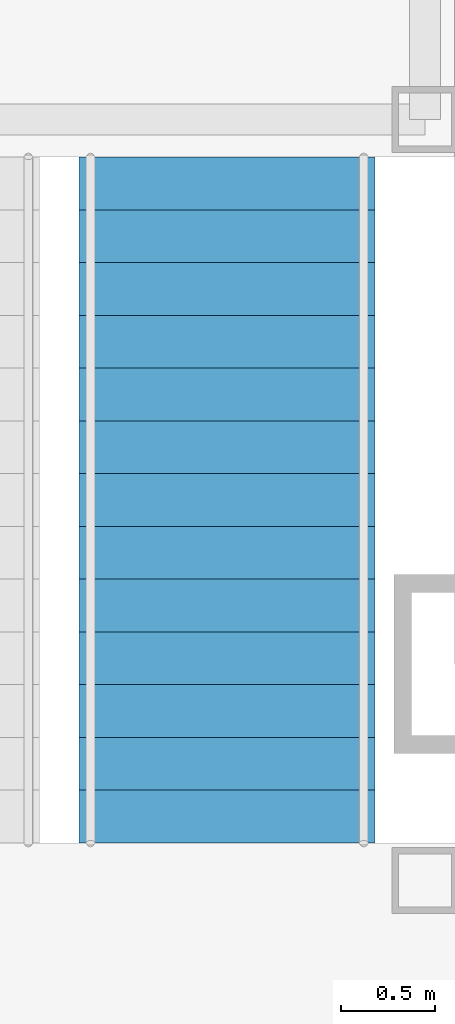
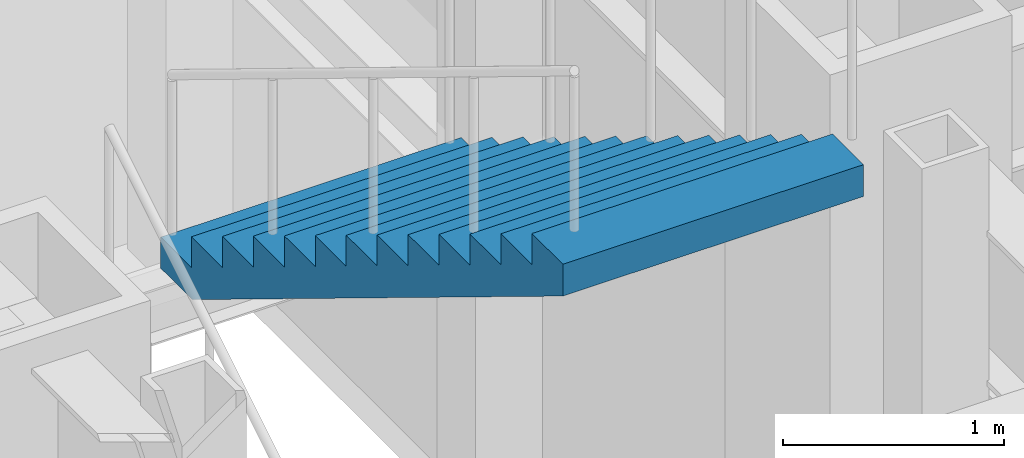
# One storey, part 17 of 24: 1 stair flight, 1 element without a shape of its own.
"""IFC4 building model written with IfcOpenShell, lengths in metres."""

from ifc_helpers import new_model, si_unit, direction, frame, origin, place, context, subcontext, project, spatial, faceted_brep, material, type_object, element, aggregate, save


model = new_model("IFC4")

# Units and contexts
model_context = context("Model", 3, precision=1e-05, world=origin(), true_north=direction((0.0, 1.0)))
body_context = subcontext(model_context, "Body", "Model", "MODEL_VIEW")
ifc_project = project(units=[si_unit("LENGTHUNIT", "METRE"), si_unit("AREAUNIT", "SQUARE_METRE"), si_unit("VOLUMEUNIT", "CUBIC_METRE"), si_unit("PLANEANGLEUNIT", "RADIAN"), si_unit("MASSUNIT", "GRAM", prefix="KILO")], contexts=[model_context])

# Site, building, storey
site_placement = place(None, origin())
site = spatial("IfcSite", under=ifc_project, at=site_placement, CompositionType="ELEMENT")
building_placement = place(site_placement, origin())
building = spatial("IfcBuilding", under=site, at=building_placement, Name="Chuquiago Exchange Tower", CompositionType="ELEMENT")
storey_placement = place(building_placement, frame((0.0, 0.0, 19.5)))
storey = spatial("IfcBuildingStorey", under=building, at=storey_placement, Name="L03", CompositionType="ELEMENT", Elevation=19.5)

# Stair, stair flight
ifc_material_1 = material(Name="Concrete C30/37, precast", Category="concrete")
stair_type = type_object("IfcStairType", Name="ST2 half-turn stair 4800", PredefinedType="HALF_TURN_STAIR", material=ifc_material_1)
stair_placement = place(storey_placement, origin())
stair = element("IfcStair", 1, at=stair_placement, inside=storey, type_object=stair_type, Name="Stair ST2 L03", PredefinedType="HALF_TURN_STAIR")
ifc_material_2 = material(Name="Concrete C30/37, precast", Category="concrete")
stair_flight_type = type_object("IfcStairFlightType", Name="ST-F flight 1570 for 4800 storey", PredefinedType="STRAIGHT", material=ifc_material_2)
stair_flight_placement = place(storey_placement, frame((31.639892578125, 26.68994140625, 2.39990234375), z_axis=(0.0, 0.0, 1.0), x_axis=(0.0, -1.0, 0.0)))
stair_flight = element("IfcStairFlight", 2, at=stair_flight_placement, type_object=stair_flight_type, Name="ST2 flight 2", NumberOfRisers=14, NumberOfTreads=13, PredefinedType="STRAIGHT", RiserHeight=0.171428571, TreadLength=0.28, context=body_context, shape_type="Brep", body=[
    faceted_brep([(0.0, 0.78515625, 0.0), (0.0, 0.78515625, 0.17138671875), (0.280029296875, 0.78515625, 0.17138671875), (0.280029296875, 0.78515625, 0.3427734375), (0.56005859375, 0.78515625, 0.3427734375), (0.56005859375, 0.78515625, 0.514404296875), (0.840087890625, 0.78515625, 0.514404296875), (0.840087890625, 0.78515625, 0.685791015625), (1.1201171875, 0.78515625, 0.685791015625), (1.1201171875, 0.78515625, 0.857177734375), (1.39990234375, 0.78515625, 0.857177734375), (1.39990234375, 0.78515625, 1.028564453125), (1.679931640625, 0.78515625, 1.028564453125), (1.679931640625, 0.78515625, 1.199951171875), (1.9599609375, 0.78515625, 1.199951171875), (1.9599609375, 0.78515625, 1.371337890625), (2.239990234375, 0.78515625, 1.371337890625), (2.239990234375, 0.78515625, 1.54296875), (2.52001953125, 0.78515625, 1.54296875), (2.52001953125, 0.78515625, 1.71435546875), (2.800048828125, 0.78515625, 1.71435546875), (2.800048828125, 0.78515625, 1.8857421875), (3.080078125, 0.78515625, 1.8857421875), (3.080078125, 0.78515625, 2.05712890625), (3.360107421875, 0.78515625, 2.05712890625), (3.360107421875, 0.78515625, 2.228515625), (3.639892578125, 0.78515625, 2.228515625), (3.639892578125, 0.78515625, 2.052734375), (0.287109375, 0.78515625, 0.0), (0.287109375, -0.78515625, 0.0), (3.639892578125, -0.78515625, 2.052734375), (3.639892578125, -0.78515625, 2.228515625), (3.360107421875, -0.78515625, 2.228515625), (3.360107421875, -0.78515625, 2.05712890625), (3.080078125, -0.78515625, 2.05712890625), (3.080078125, -0.78515625, 1.8857421875), (2.800048828125, -0.78515625, 1.8857421875), (2.800048828125, -0.78515625, 1.71435546875), (2.52001953125, -0.78515625, 1.71435546875), (2.52001953125, -0.78515625, 1.54296875), (2.239990234375, -0.78515625, 1.54296875), (2.239990234375, -0.78515625, 1.371337890625), (1.9599609375, -0.78515625, 1.371337890625), (1.9599609375, -0.78515625, 1.199951171875), (1.679931640625, -0.78515625, 1.199951171875), (1.679931640625, -0.78515625, 1.028564453125), (1.39990234375, -0.78515625, 1.028564453125), (1.39990234375, -0.78515625, 0.857177734375), (1.1201171875, -0.78515625, 0.857177734375), (1.1201171875, -0.78515625, 0.685791015625), (0.840087890625, -0.78515625, 0.685791015625), (0.840087890625, -0.78515625, 0.514404296875), (0.56005859375, -0.78515625, 0.514404296875), (0.56005859375, -0.78515625, 0.3427734375), (0.280029296875, -0.78515625, 0.3427734375), (0.280029296875, -0.78515625, 0.17138671875), (0.0, -0.78515625, 0.17138671875), (0.0, -0.78515625, 0.0), (0.0, 0.392578125, 0.0), (0.0, 0.392578125, 0.17138671875), (0.0, 0.0, 0.0), (0.0, 0.0, 0.17138671875), (0.0, -0.392578125, 0.0), (0.0, -0.392578125, 0.17138671875), (0.280029296875, 0.392578125, 0.17138671875), (0.280029296875, 0.0, 0.17138671875), (0.280029296875, -0.392578125, 0.17138671875), (0.280029296875, 0.392578125, 0.3427734375), (0.280029296875, 0.0, 0.3427734375), (0.280029296875, -0.392578125, 0.3427734375), (0.56005859375, 0.392578125, 0.3427734375), (0.56005859375, 0.0, 0.3427734375), (0.56005859375, -0.392578125, 0.3427734375), (0.56005859375, 0.392578125, 0.514404296875), (0.56005859375, 0.0, 0.514404296875), (0.56005859375, -0.392578125, 0.514404296875), (0.840087890625, 0.392578125, 0.514404296875), (0.840087890625, 0.0, 0.514404296875), (0.840087890625, -0.392578125, 0.514404296875), (0.840087890625, 0.392578125, 0.685791015625), (0.840087890625, 0.0, 0.685791015625), (0.840087890625, -0.392578125, 0.685791015625), (1.1201171875, 0.392578125, 0.685791015625), (1.1201171875, 0.0, 0.685791015625), (1.1201171875, -0.392578125, 0.685791015625), (1.1201171875, 0.392578125, 0.857177734375), (1.1201171875, 0.0, 0.857177734375), (1.1201171875, -0.392578125, 0.857177734375), (1.39990234375, 0.392578125, 0.857177734375), (1.39990234375, 0.0, 0.857177734375), (1.39990234375, -0.392578125, 0.857177734375), (1.39990234375, 0.392578125, 1.028564453125), (1.39990234375, 0.0, 1.028564453125), (1.39990234375, -0.392578125, 1.028564453125), (1.679931640625, 0.392578125, 1.028564453125), (1.679931640625, 0.0, 1.028564453125), (1.679931640625, -0.392578125, 1.028564453125), (1.679931640625, 0.392578125, 1.199951171875), (1.679931640625, 0.0, 1.199951171875), (1.679931640625, -0.392578125, 1.199951171875), (1.9599609375, 0.392578125, 1.199951171875), (1.9599609375, 0.0, 1.199951171875), (1.9599609375, -0.392578125, 1.199951171875), (1.9599609375, 0.392578125, 1.371337890625), (1.9599609375, 0.0, 1.371337890625), (1.9599609375, -0.392578125, 1.371337890625), (2.239990234375, 0.392578125, 1.371337890625), (2.239990234375, 0.0, 1.371337890625), (2.239990234375, -0.392578125, 1.371337890625), (2.239990234375, 0.392578125, 1.54296875), (2.239990234375, 0.0, 1.54296875), (2.239990234375, -0.392578125, 1.54296875), (2.52001953125, 0.392578125, 1.54296875), (2.52001953125, 0.0, 1.54296875), (2.52001953125, -0.392578125, 1.54296875), (2.52001953125, 0.392578125, 1.71435546875), (2.52001953125, 0.0, 1.71435546875), (2.52001953125, -0.392578125, 1.71435546875), (2.800048828125, 0.392578125, 1.71435546875), (2.800048828125, 0.0, 1.71435546875), (2.800048828125, -0.392578125, 1.71435546875), (2.800048828125, 0.392578125, 1.8857421875), (2.800048828125, 0.0, 1.8857421875), (2.800048828125, -0.392578125, 1.8857421875), (3.080078125, 0.392578125, 1.8857421875), (3.080078125, 0.0, 1.8857421875), (3.080078125, -0.392578125, 1.8857421875), (3.080078125, 0.392578125, 2.05712890625), (3.080078125, 0.0, 2.05712890625), (3.080078125, -0.392578125, 2.05712890625), (3.360107421875, 0.392578125, 2.05712890625), (3.360107421875, 0.0, 2.05712890625), (3.360107421875, -0.392578125, 2.05712890625), (3.360107421875, 0.392578125, 2.228515625), (3.360107421875, 0.0, 2.228515625), (3.360107421875, -0.392578125, 2.228515625), (3.639892578125, 0.392578125, 2.228515625), (3.639892578125, 0.0, 2.228515625), (3.639892578125, -0.392578125, 2.228515625), (3.639892578125, 0.392578125, 2.052734375), (3.639892578125, 0.0, 2.052734375), (3.639892578125, -0.392578125, 2.052734375), (0.287109375, 0.392578125, 0.0), (0.287109375, 0.0, 0.0), (0.287109375, -0.392578125, 0.0)], [[[0, 1, 2, 3, 4, 5, 6, 7, 8, 9, 10, 11, 12, 13, 14, 15, 16, 17, 18, 19, 20, 21, 22, 23, 24, 25, 26, 27, 28]], [[29, 30, 31, 32, 33, 34, 35, 36, 37, 38, 39, 40, 41, 42, 43, 44, 45, 46, 47, 48, 49, 50, 51, 52, 53, 54, 55, 56, 57]], [[1, 0, 58, 59]], [[59, 58, 60, 61]], [[61, 60, 62, 63]], [[63, 62, 57, 56]], [[2, 1, 59, 64]], [[64, 59, 61, 65]], [[65, 61, 63, 66]], [[66, 63, 56, 55]], [[3, 2, 64, 67]], [[67, 64, 65, 68]], [[68, 65, 66, 69]], [[69, 66, 55, 54]], [[4, 3, 67, 70]], [[70, 67, 68, 71]], [[71, 68, 69, 72]], [[72, 69, 54, 53]], [[5, 4, 70, 73]], [[73, 70, 71, 74]], [[74, 71, 72, 75]], [[75, 72, 53, 52]], [[6, 5, 73, 76]], [[76, 73, 74, 77]], [[77, 74, 75, 78]], [[78, 75, 52, 51]], [[7, 6, 76, 79]], [[79, 76, 77, 80]], [[80, 77, 78, 81]], [[81, 78, 51, 50]], [[8, 7, 79, 82]], [[82, 79, 80, 83]], [[83, 80, 81, 84]], [[84, 81, 50, 49]], [[9, 8, 82, 85]], [[85, 82, 83, 86]], [[86, 83, 84, 87]], [[87, 84, 49, 48]], [[10, 9, 85, 88]], [[88, 85, 86, 89]], [[89, 86, 87, 90]], [[90, 87, 48, 47]], [[11, 10, 88, 91]], [[91, 88, 89, 92]], [[92, 89, 90, 93]], [[93, 90, 47, 46]], [[12, 11, 91, 94]], [[94, 91, 92, 95]], [[95, 92, 93, 96]], [[96, 93, 46, 45]], [[13, 12, 94, 97]], [[97, 94, 95, 98]], [[98, 95, 96, 99]], [[99, 96, 45, 44]], [[14, 13, 97, 100]], [[100, 97, 98, 101]], [[101, 98, 99, 102]], [[102, 99, 44, 43]], [[15, 14, 100, 103]], [[103, 100, 101, 104]], [[104, 101, 102, 105]], [[105, 102, 43, 42]], [[16, 15, 103, 106]], [[106, 103, 104, 107]], [[107, 104, 105, 108]], [[108, 105, 42, 41]], [[17, 16, 106, 109]], [[109, 106, 107, 110]], [[110, 107, 108, 111]], [[111, 108, 41, 40]], [[18, 17, 109, 112]], [[112, 109, 110, 113]], [[113, 110, 111, 114]], [[114, 111, 40, 39]], [[19, 18, 112, 115]], [[115, 112, 113, 116]], [[116, 113, 114, 117]], [[117, 114, 39, 38]], [[20, 19, 115, 118]], [[118, 115, 116, 119]], [[119, 116, 117, 120]], [[120, 117, 38, 37]], [[21, 20, 118, 121]], [[121, 118, 119, 122]], [[122, 119, 120, 123]], [[123, 120, 37, 36]], [[22, 21, 121, 124]], [[124, 121, 122, 125]], [[125, 122, 123, 126]], [[126, 123, 36, 35]], [[23, 22, 124, 127]], [[127, 124, 125, 128]], [[128, 125, 126, 129]], [[129, 126, 35, 34]], [[24, 23, 127, 130]], [[130, 127, 128, 131]], [[131, 128, 129, 132]], [[132, 129, 34, 33]], [[25, 24, 130, 133]], [[133, 130, 131, 134]], [[134, 131, 132, 135]], [[135, 132, 33, 32]], [[26, 25, 133, 136]], [[136, 133, 134, 137]], [[137, 134, 135, 138]], [[138, 135, 32, 31]], [[27, 26, 136, 139]], [[139, 136, 137, 140]], [[140, 137, 138, 141]], [[141, 138, 31, 30]], [[28, 27, 139, 142]], [[142, 139, 140, 143]], [[143, 140, 141, 144]], [[144, 141, 30, 29]], [[0, 28, 142, 58]], [[58, 142, 143, 60]], [[60, 143, 144, 62]], [[62, 144, 29, 57]]]),
])
aggregate(stair, [stair_flight])

save(model, "model.ifc")
